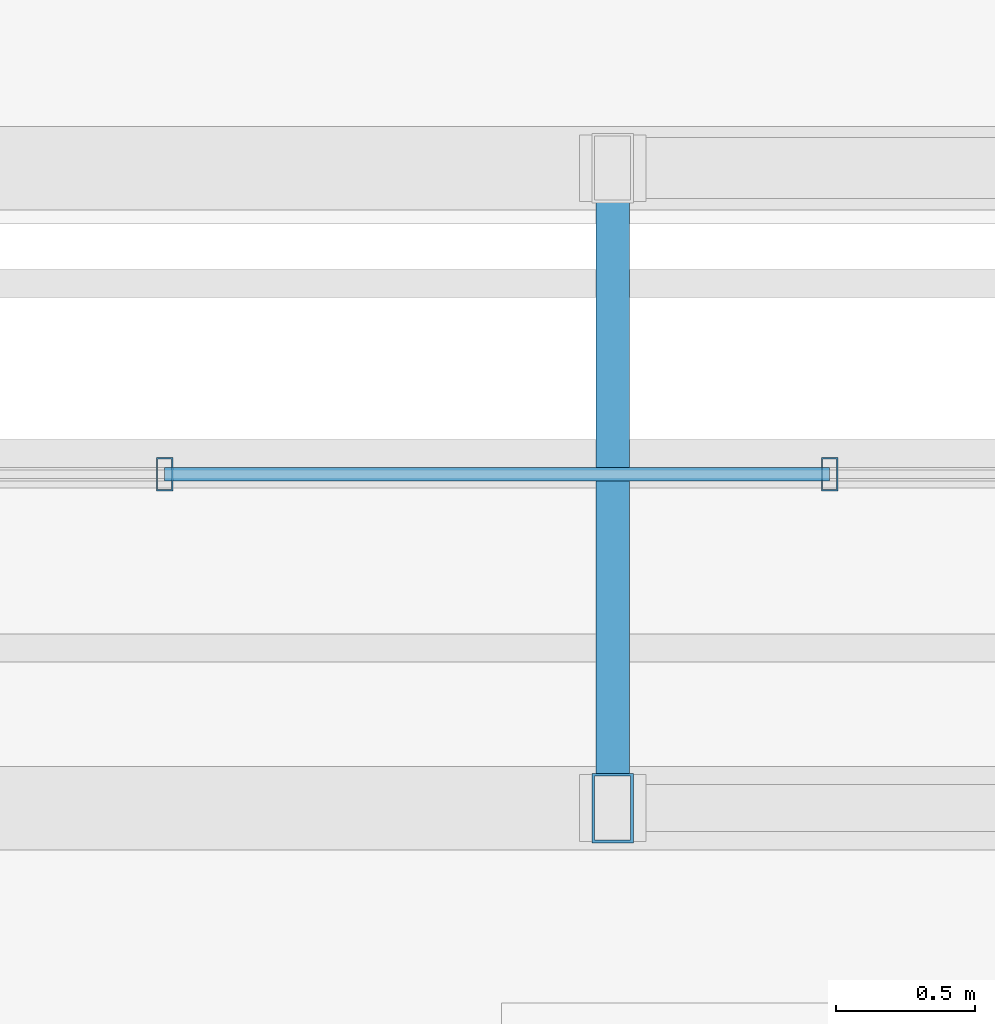
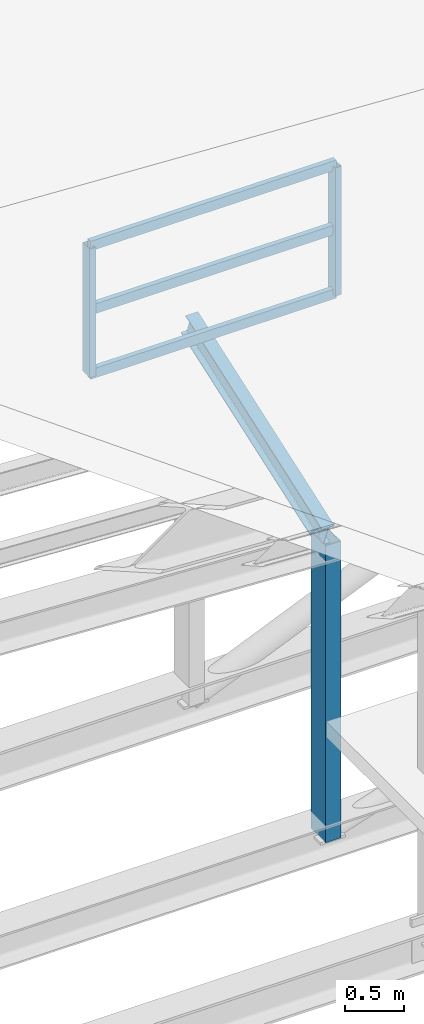
# One storey, part 118 of 141: 7 members, 1 element without a shape of its own.
"""IFC4 building model written with IfcOpenShell, lengths in metres."""

from ifc_helpers import new_model, si_unit, direction, frame, origin, origin_2d, place, context, subcontext, project, spatial, hollow_rectangle, i_section, extrude, material, material_profile, profile_set, type_object, element, aggregate, save


model = new_model("IFC4")

# Units and contexts
model_context = context("Model", 3, precision=1e-05, world=origin(), true_north=direction((0.0, 1.0)))
body_context = subcontext(model_context, "Body", "Model", "MODEL_VIEW")
ifc_project = project(units=[si_unit("LENGTHUNIT", "METRE"), si_unit("AREAUNIT", "SQUARE_METRE"), si_unit("VOLUMEUNIT", "CUBIC_METRE"), si_unit("PLANEANGLEUNIT", "RADIAN"), si_unit("MASSUNIT", "GRAM", prefix="KILO")], contexts=[model_context])

# Site, building, storey
site_placement = place(None, origin())
site = spatial("IfcSite", under=ifc_project, at=site_placement, CompositionType="ELEMENT")
building_placement = place(site_placement, origin())
building = spatial("IfcBuilding", under=site, at=building_placement, Name="Sundkrona Museum", CompositionType="ELEMENT")
storey_placement = place(building_placement, frame((0.0, 0.0, 34.0)))
storey = spatial("IfcBuildingStorey", under=building, at=storey_placement, Name="RF", CompositionType="ELEMENT", Elevation=34.0)

# Curtain wall, members
ifc_material_1 = material(Name="Unitised Aluminium-Steel and Ceramic-Clad Curtain Walling", Category="steel")
curtain_wall_type = type_object("IfcCurtainWallType", Name="CW-SW-240x13", PredefinedType="NOTDEFINED", material=ifc_material_1)
curtain_wall_placement = place(storey_placement, origin())
curtain_wall = element("IfcCurtainWall", 1, at=curtain_wall_placement, inside=storey, type_object=curtain_wall_type, Name="Sawtooth Bay 6 East North-Light Clerestory", PredefinedType="NOTDEFINED")
ifc_material_2 = material(Name="Aluminium EN AW-6060 T66", Category="aluminium")
ifc_material_profile_1 = material_profile(ifc_material_2, hollow_rectangle(XDim=0.06005859375, YDim=0.1201171875, WallThickness=0.0048828125, at=origin_2d()), Name="RHS 120x60x5.0")
ifc_profile_set_1 = profile_set([ifc_material_profile_1], Name="Aluminium EN AW-6060 T66")
member_type_1 = type_object("IfcMemberType", Name="ML-120", PredefinedType="MULLION", material=ifc_profile_set_1)
member_1_placement = place(storey_placement, frame((158.389892578125, 42.699951171875, 4.31298828125), z_axis=(0.0, 0.0, 1.0), x_axis=(1.0, 0.0, 0.0)))
member_1 = element("IfcMember", 2, at=member_1_placement, type_object=member_type_1, Name="CW-RF-SAW-06E Mullion 07", PredefinedType="MULLION", context=body_context, shape_type="SweptSolid", body=[
    extrude(hollow_rectangle(XDim=0.06005859375, YDim=0.1201171875, WallThickness=0.0048828125, at=origin_2d()), origin(), (0.0, 0.0, 1.0), 1.320068359375),
])
member_2_placement = place(storey_placement, frame((160.780029296875, 42.699951171875, 4.31298828125), z_axis=(0.0, 0.0, 1.0), x_axis=(1.0, 0.0, 0.0)))
member_2 = element("IfcMember", 3, at=member_2_placement, type_object=member_type_1, Name="CW-RF-SAW-06E Mullion 08", PredefinedType="MULLION", context=body_context, shape_type="SweptSolid", body=[
    extrude(hollow_rectangle(XDim=0.06005859375, YDim=0.1201171875, WallThickness=0.0048828125, at=origin_2d()), origin(), (0.0, 0.0, 1.0), 1.320068359375),
])

# Members
ifc_material_3 = material(Name="Steel S355J2", Category="steel")
ifc_material_profile_2 = material_profile(ifc_material_3, i_section(OverallWidth=0.1201171875, OverallDepth=0.239990234375, WebThickness=0.006103515625, FlangeThickness=0.009765625, FilletRadius=0.014892578125, at=origin_2d()), Name="IPE 240")
ifc_profile_set_2 = profile_set([ifc_material_profile_2], Name="Steel S355J2")
member_type_2 = type_object("IfcMemberType", Name="PR-IPE240", PredefinedType="PURLIN", material=ifc_profile_set_2)
member_3_placement = place(storey_placement, frame((160.0, 41.5, 2.801513671875), z_axis=(0.0, 0.943681756656, 0.330854563447), x_axis=(-1.0, 0.0, 0.0)))
element("IfcMember", 4, at=member_3_placement, inside=storey, type_object=member_type_2, Name="RFS-1 Sawtooth Bay 7 Transverse Rafter 6", PredefinedType="PURLIN", context=body_context, shape_type="SweptSolid", body=[
    extrude(i_section(OverallWidth=0.1201171875, OverallDepth=0.239990234375, WebThickness=0.006103515625, FlangeThickness=0.009765625, FilletRadius=0.014892578125, at=origin_2d()), origin(), (0.0, 0.0, 1.0), 2.437255859375),
])
ifc_material_profile_3 = material_profile(ifc_material_3, hollow_rectangle(XDim=0.14990234375, YDim=0.25, WallThickness=0.010009765625, at=origin_2d()), Name="RHS 250x150x10.0")
ifc_profile_set_3 = profile_set([ifc_material_profile_3], Name="Steel S355J2")
member_type_3 = type_object("IfcMemberType", Name="ST-RHS250", PredefinedType="STRUT", material=ifc_profile_set_3)
member_4_placement = place(storey_placement, frame((160.0, 41.5, -0.25), z_axis=(0.0, 0.0, 1.0), x_axis=(1.0, 0.0, 0.0)))
element("IfcMember", 5, at=member_4_placement, inside=storey, type_object=member_type_3, Name="RFS-1 Sawtooth Bay 7 Valley Post 6", PredefinedType="STRUT", context=body_context, shape_type="SweptSolid", body=[
    extrude(hollow_rectangle(XDim=0.14990234375, YDim=0.25, WallThickness=0.010009765625, at=origin_2d()), origin(), (0.0, 0.0, 1.0), 3.051513671875),
])

# Member
ifc_material_profile_4 = material_profile(ifc_material_2, hollow_rectangle(XDim=0.050048828125, YDim=0.10009765625, WallThickness=0.0048828125, at=origin_2d()), Name="RHS 100x50x5.0")
ifc_profile_set_4 = profile_set([ifc_material_profile_4], Name="Aluminium EN AW-6060 T66")
member_type_4 = type_object("IfcMemberType", Name="TR-100", PredefinedType="USERDEFINED", material=ifc_profile_set_4)
member_5_placement = place(storey_placement, frame((158.389892578125, 42.699951171875, 4.31298828125), z_axis=(1.0, 0.0, 0.0), x_axis=(0.0, 1.0, 0.0)))
member_5 = element("IfcMember", 6, at=member_5_placement, type_object=member_type_4, Name="CW-RF-SAW-06E Transom 19", ObjectType="TRANSOM", PredefinedType="USERDEFINED", context=body_context, shape_type="SweptSolid", body=[
    extrude(hollow_rectangle(XDim=0.050048828125, YDim=0.10009765625, WallThickness=0.0048828125, at=origin_2d()), origin(), (0.0, 0.0, 1.0), 2.39013671875),
])

member_6_placement = place(storey_placement, frame((158.389892578125, 42.699951171875, 4.972900390625), z_axis=(1.0, 0.0, 0.0), x_axis=(0.0, 1.0, 0.0)))
member_6 = element("IfcMember", 7, at=member_6_placement, type_object=member_type_4, Name="CW-RF-SAW-06E Transom 20", ObjectType="TRANSOM", PredefinedType="USERDEFINED", context=body_context, shape_type="SweptSolid", body=[
    extrude(hollow_rectangle(XDim=0.050048828125, YDim=0.10009765625, WallThickness=0.0048828125, at=origin_2d()), origin(), (0.0, 0.0, 1.0), 2.39013671875),
])

member_7_placement = place(storey_placement, frame((158.389892578125, 42.699951171875, 5.633056640625), z_axis=(1.0, 0.0, 0.0), x_axis=(0.0, 1.0, 0.0)))
member_7 = element("IfcMember", 8, at=member_7_placement, type_object=member_type_4, Name="CW-RF-SAW-06E Transom 21", ObjectType="TRANSOM", PredefinedType="USERDEFINED", context=body_context, shape_type="SweptSolid", body=[
    extrude(hollow_rectangle(XDim=0.050048828125, YDim=0.10009765625, WallThickness=0.0048828125, at=origin_2d()), origin(), (0.0, 0.0, 1.0), 2.39013671875),
])

aggregate(curtain_wall, [member_1, member_2, member_5, member_6, member_7])

save(model, "model.ifc")
